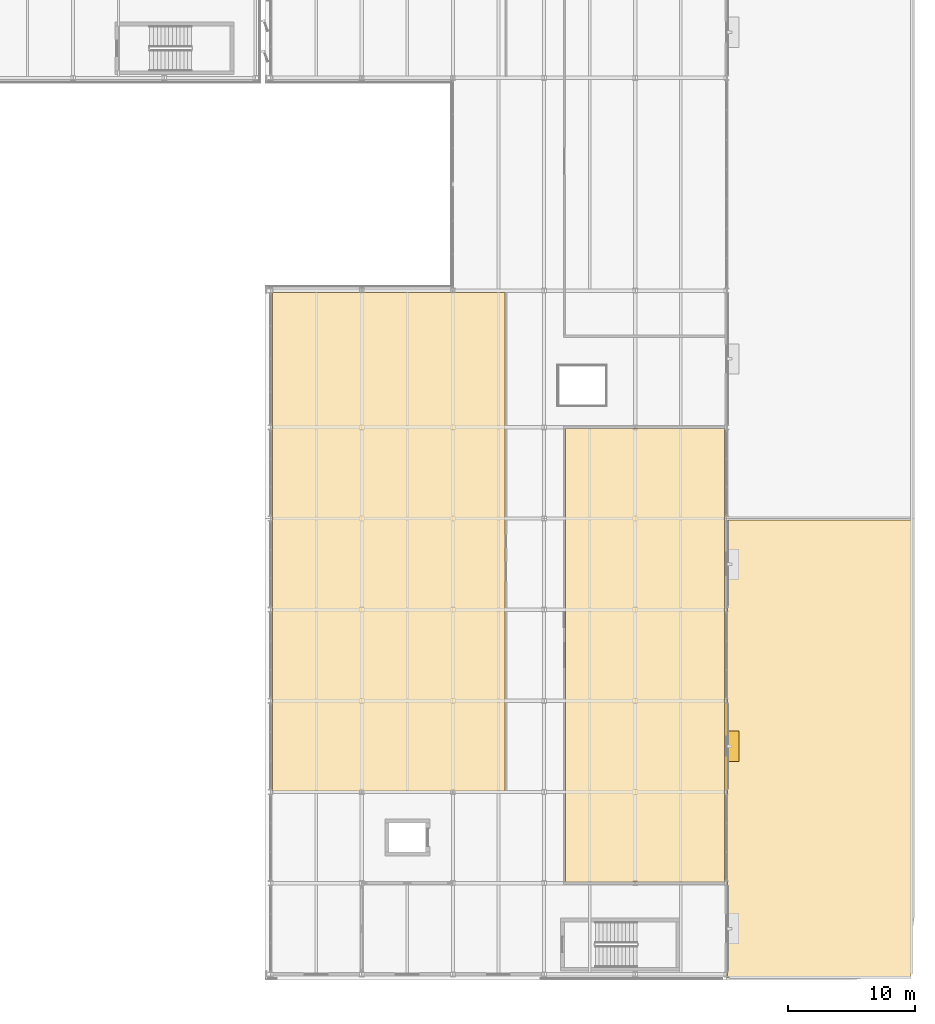
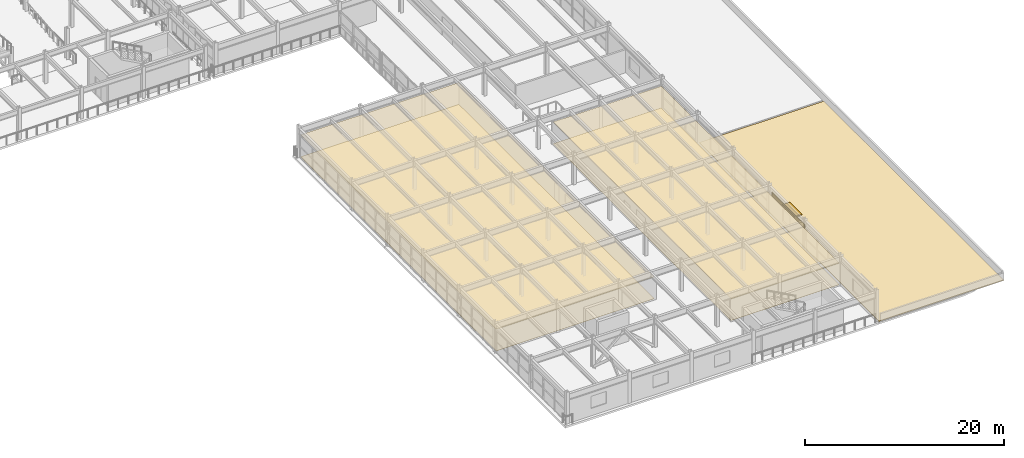
# One storey, part 72 of 80: 6 coverings, 1 shading device.
"""IFC4 building model written with IfcOpenShell, lengths in metres."""

from ifc_helpers import new_model, si_unit, direction, frame, origin, origin_2d, place, context, subcontext, project, spatial, polyline, rectangle, outline, extrude, material, layer, layer_set, type_object, element, save


model = new_model("IFC4")

# Units and contexts
model_context = context("Model", 3, precision=1e-05, world=origin(), true_north=direction((0.0, 1.0)))
body_context = subcontext(model_context, "Body", "Model", "MODEL_VIEW")
ifc_project = project(units=[si_unit("LENGTHUNIT", "METRE"), si_unit("AREAUNIT", "SQUARE_METRE"), si_unit("VOLUMEUNIT", "CUBIC_METRE"), si_unit("PLANEANGLEUNIT", "RADIAN"), si_unit("MASSUNIT", "GRAM", prefix="KILO")], contexts=[model_context])

# Site, building, storey
site_placement = place(None, origin())
site = spatial("IfcSite", under=ifc_project, at=site_placement, CompositionType="ELEMENT")
building_placement = place(site_placement, origin())
building = spatial("IfcBuilding", under=site, at=building_placement, Name="Vaelcorin Mobility Hub", CompositionType="ELEMENT")
storey_placement = place(building_placement, frame((0.0, 0.0, 9.300048828125)))
storey = spatial("IfcBuildingStorey", under=building, at=storey_placement, Name="L02", CompositionType="ELEMENT", Elevation=9.300048828125)

# Coverings
ifc_material_1 = material(Name="Perforated acoustic mineral-fibre ceiling tile")
ifc_layer_1 = layer(ifc_material_1, 0.02392578125)
ifc_layer_set_1 = layer_set([ifc_layer_1], Name="Perforated acoustic mineral-fibre ceiling tile")
covering_type_1 = type_object("IfcCoveringType", Name="COV-CEIL-2", PredefinedType="CEILING", material=ifc_layer_set_1)
covering_1_placement = place(storey_placement, frame((0.0, 0.0, 2.6728515625)))
element("IfcCovering", 1, at=covering_1_placement, inside=storey, type_object=covering_type_1, Name="Intermodal Network Control Suite Acoustic Ceiling", PredefinedType="CEILING", context=body_context, shape_type="SweptSolid", body=[
    extrude(outline(polyline([(176.93994140625, 13.280029296875), (176.93408203125, 13.280029296875), (176.927978515625, 13.281005859375), (176.923095703125, 13.282958984375), (176.9169921875, 13.284912109375), (176.912109375, 13.287109375), (176.906982421875, 13.2900390625), (176.902099609375, 13.2939453125), (176.89794921875, 13.298095703125), (176.89404296875, 13.302001953125), (176.889892578125, 13.306884765625), (176.886962890625, 13.31201171875), (176.885009765625, 13.31689453125), (176.883056640625, 13.322998046875), (176.881103515625, 13.327880859375), (176.8798828125, 13.333984375), (176.8798828125, 13.340087890625), (176.8798828125, 49.06005859375), (176.8798828125, 49.06591796875), (176.881103515625, 49.072021484375), (176.883056640625, 49.076904296875), (176.885009765625, 49.0830078125), (176.886962890625, 49.087890625), (176.889892578125, 49.093017578125), (176.89404296875, 49.097900390625), (176.89794921875, 49.10205078125), (176.902099609375, 49.10595703125), (176.906982421875, 49.110107421875), (176.912109375, 49.113037109375), (176.9169921875, 49.114990234375), (176.923095703125, 49.116943359375), (176.927978515625, 49.118896484375), (176.93408203125, 49.1201171875), (176.93994140625, 49.1201171875), (189.39990234375, 49.1201171875), (189.406005859375, 49.1201171875), (189.412109375, 49.118896484375), (189.4169921875, 49.116943359375), (189.423095703125, 49.114990234375), (189.427978515625, 49.113037109375), (189.43310546875, 49.110107421875), (189.43798828125, 49.10595703125), (189.44189453125, 49.10205078125), (189.446044921875, 49.097900390625), (189.449951171875, 49.093017578125), (189.452880859375, 49.087890625), (189.455078125, 49.0830078125), (189.45703125, 49.076904296875), (189.458984375, 49.072021484375), (189.4599609375, 49.06591796875), (189.4599609375, 49.06005859375), (189.4599609375, 13.340087890625), (189.4599609375, 13.333984375), (189.458984375, 13.327880859375), (189.45703125, 13.322998046875), (189.455078125, 13.31689453125), (189.452880859375, 13.31201171875), (189.449951171875, 13.306884765625), (189.446044921875, 13.302001953125), (189.44189453125, 13.298095703125), (189.43798828125, 13.2939453125), (189.43310546875, 13.2900390625), (189.427978515625, 13.287109375), (189.423095703125, 13.284912109375), (189.4169921875, 13.282958984375), (189.412109375, 13.281005859375), (189.406005859375, 13.280029296875), (189.39990234375, 13.280029296875), (176.93994140625, 13.280029296875)])), origin(), (0.0, 0.0, 1.0), 0.024169921875),
])
ifc_layer_2 = layer(ifc_material_1, 0.030029296875)
ifc_layer_set_2 = layer_set([ifc_layer_2], Name="Perforated acoustic mineral-fibre ceiling tile")
covering_type_2 = type_object("IfcCoveringType", Name="COV-CEIL-3", PredefinedType="CEILING", material=ifc_layer_set_2)
covering_2_placement = place(storey_placement, frame((0.0, 0.0, 2.6728515625)))
element("IfcCovering", 2, at=covering_2_placement, inside=storey, type_object=covering_type_2, Name="Regional Transit Boardroom Acoustic Ceiling", PredefinedType="CEILING", context=body_context, shape_type="SweptSolid", body=[
    extrude(outline(polyline([(153.800048828125, 20.47998046875), (153.7939453125, 20.47998046875), (153.7880859375, 20.48095703125), (153.782958984375, 20.48291015625), (153.777099609375, 20.485107421875), (153.77197265625, 20.487060546875), (153.76708984375, 20.489990234375), (153.761962890625, 20.493896484375), (153.758056640625, 20.498046875), (153.75390625, 20.501953125), (153.75, 20.507080078125), (153.7470703125, 20.511962890625), (153.7451171875, 20.51708984375), (153.742919921875, 20.52294921875), (153.740966796875, 20.528076171875), (153.739990234375, 20.533935546875), (153.739990234375, 20.5400390625), (153.739990234375, 59.800048828125), (153.739990234375, 59.805908203125), (153.740966796875, 59.81201171875), (153.742919921875, 59.81689453125), (153.7451171875, 59.822998046875), (153.7470703125, 59.827880859375), (153.75, 59.8330078125), (153.75390625, 59.837890625), (153.758056640625, 59.842041015625), (153.761962890625, 59.845947265625), (153.76708984375, 59.85009765625), (153.77197265625, 59.85302734375), (153.777099609375, 59.85498046875), (153.782958984375, 59.85693359375), (153.7880859375, 59.85888671875), (153.7939453125, 59.860107421875), (153.800048828125, 59.860107421875), (172.06005859375, 59.860107421875), (172.06591796875, 59.860107421875), (172.072021484375, 59.85888671875), (172.076904296875, 59.85693359375), (172.0830078125, 59.85498046875), (172.087890625, 59.85302734375), (172.093017578125, 59.85009765625), (172.097900390625, 59.845947265625), (172.10205078125, 59.842041015625), (172.10595703125, 59.837890625), (172.110107421875, 59.8330078125), (172.113037109375, 59.827880859375), (172.114990234375, 59.822998046875), (172.116943359375, 59.81689453125), (172.118896484375, 59.81201171875), (172.1201171875, 59.805908203125), (172.1201171875, 59.800048828125), (172.1201171875, 20.5400390625), (172.1201171875, 20.533935546875), (172.118896484375, 20.528076171875), (172.116943359375, 20.52294921875), (172.114990234375, 20.51708984375), (172.113037109375, 20.511962890625), (172.110107421875, 20.507080078125), (172.10595703125, 20.501953125), (172.10205078125, 20.498046875), (172.097900390625, 20.493896484375), (172.093017578125, 20.489990234375), (172.087890625, 20.487060546875), (172.0830078125, 20.485107421875), (172.076904296875, 20.48291015625), (172.072021484375, 20.48095703125), (172.06591796875, 20.47998046875), (172.06005859375, 20.47998046875), (153.800048828125, 20.47998046875)])), origin(), (0.0, 0.0, 1.0), 0.030029296875),
])
ifc_material_2 = material(Name="Extruded terracotta-bronze rainscreen panel", Category="masonry")
ifc_layer_3 = layer(ifc_material_2, 0.034912109375)
ifc_layer_set_3 = layer_set([ifc_layer_3], Name="Extruded terracotta-bronze rainscreen panel")
covering_type_3 = type_object("IfcCoveringType", Name="COV-CLAD-35", PredefinedType="CLADDING", material=ifc_layer_set_3)
covering_3_placement = place(storey_placement, frame((189.739990234375, 24.0, 2.35302734375), z_axis=(0.0, 0.0, 1.0), x_axis=(1.0, 0.0, 0.0)))
element("IfcCovering", 3, at=covering_3_placement, inside=storey, type_object=covering_type_3, Name="Terracotta-Bronze Facade Cladding L02-03", PredefinedType="CLADDING", context=body_context, shape_type="SweptSolid", body=[
    extrude(rectangle(XDim=0.028076171875, YDim=6.60009765625, at=origin_2d()), origin(), (0.0, 0.0, 1.0), 0.449951171875),
])
ifc_material_3 = material(Name="Polished epoxy-terrazzo concourse flooring")
ifc_layer_4 = layer(ifc_material_3, 0.01806640625)
ifc_layer_set_4 = layer_set([ifc_layer_4], Name="Polished epoxy-terrazzo concourse flooring")
covering_type_4 = type_object("IfcCoveringType", Name="COV-FLR-1", PredefinedType="FLOORING", material=ifc_layer_set_4)
covering_4_placement = place(storey_placement, origin())
element("IfcCovering", 4, at=covering_4_placement, inside=storey, type_object=covering_type_4, Name="Regional Transit Boardroom Finish Flooring", PredefinedType="FLOORING", context=body_context, shape_type="SweptSolid", body=[
    extrude(outline(polyline([(153.800048828125, 20.47998046875), (153.7939453125, 20.47998046875), (153.7880859375, 20.48095703125), (153.782958984375, 20.48291015625), (153.777099609375, 20.485107421875), (153.77197265625, 20.487060546875), (153.76708984375, 20.489990234375), (153.761962890625, 20.493896484375), (153.758056640625, 20.498046875), (153.75390625, 20.501953125), (153.75, 20.507080078125), (153.7470703125, 20.511962890625), (153.7451171875, 20.51708984375), (153.742919921875, 20.52294921875), (153.740966796875, 20.528076171875), (153.739990234375, 20.533935546875), (153.739990234375, 20.5400390625), (153.739990234375, 59.800048828125), (153.739990234375, 59.805908203125), (153.740966796875, 59.81201171875), (153.742919921875, 59.81689453125), (153.7451171875, 59.822998046875), (153.7470703125, 59.827880859375), (153.75, 59.8330078125), (153.75390625, 59.837890625), (153.758056640625, 59.842041015625), (153.761962890625, 59.845947265625), (153.76708984375, 59.85009765625), (153.77197265625, 59.85302734375), (153.777099609375, 59.85498046875), (153.782958984375, 59.85693359375), (153.7880859375, 59.85888671875), (153.7939453125, 59.860107421875), (153.800048828125, 59.860107421875), (172.06005859375, 59.860107421875), (172.06591796875, 59.860107421875), (172.072021484375, 59.85888671875), (172.076904296875, 59.85693359375), (172.0830078125, 59.85498046875), (172.087890625, 59.85302734375), (172.093017578125, 59.85009765625), (172.097900390625, 59.845947265625), (172.10205078125, 59.842041015625), (172.10595703125, 59.837890625), (172.110107421875, 59.8330078125), (172.113037109375, 59.827880859375), (172.114990234375, 59.822998046875), (172.116943359375, 59.81689453125), (172.118896484375, 59.81201171875), (172.1201171875, 59.805908203125), (172.1201171875, 59.800048828125), (172.1201171875, 20.5400390625), (172.1201171875, 20.533935546875), (172.118896484375, 20.528076171875), (172.116943359375, 20.52294921875), (172.114990234375, 20.51708984375), (172.113037109375, 20.511962890625), (172.110107421875, 20.507080078125), (172.10595703125, 20.501953125), (172.10205078125, 20.498046875), (172.097900390625, 20.493896484375), (172.093017578125, 20.489990234375), (172.087890625, 20.487060546875), (172.0830078125, 20.485107421875), (172.076904296875, 20.48291015625), (172.072021484375, 20.48095703125), (172.06591796875, 20.47998046875), (172.06005859375, 20.47998046875), (153.800048828125, 20.47998046875)])), origin(), (0.0, 0.0, 1.0), 0.01806640625),
])
ifc_layer_5 = layer(ifc_material_3, 0.02587890625)
ifc_layer_set_5 = layer_set([ifc_layer_5], Name="Polished epoxy-terrazzo concourse flooring")
covering_type_5 = type_object("IfcCoveringType", Name="COV-FLR-2", PredefinedType="FLOORING", material=ifc_layer_set_5)
covering_5_placement = place(storey_placement, origin())
element("IfcCovering", 5, at=covering_5_placement, inside=storey, type_object=covering_type_5, Name="Intermodal Network Control Suite Finish Flooring", PredefinedType="FLOORING", context=body_context, shape_type="SweptSolid", body=[
    extrude(outline(polyline([(176.93994140625, 13.280029296875), (176.93408203125, 13.280029296875), (176.927978515625, 13.281005859375), (176.923095703125, 13.282958984375), (176.9169921875, 13.284912109375), (176.912109375, 13.287109375), (176.906982421875, 13.2900390625), (176.902099609375, 13.2939453125), (176.89794921875, 13.298095703125), (176.89404296875, 13.302001953125), (176.889892578125, 13.306884765625), (176.886962890625, 13.31201171875), (176.885009765625, 13.31689453125), (176.883056640625, 13.322998046875), (176.881103515625, 13.327880859375), (176.8798828125, 13.333984375), (176.8798828125, 13.340087890625), (176.8798828125, 49.06005859375), (176.8798828125, 49.06591796875), (176.881103515625, 49.072021484375), (176.883056640625, 49.076904296875), (176.885009765625, 49.0830078125), (176.886962890625, 49.087890625), (176.889892578125, 49.093017578125), (176.89404296875, 49.097900390625), (176.89794921875, 49.10205078125), (176.902099609375, 49.10595703125), (176.906982421875, 49.110107421875), (176.912109375, 49.113037109375), (176.9169921875, 49.114990234375), (176.923095703125, 49.116943359375), (176.927978515625, 49.118896484375), (176.93408203125, 49.1201171875), (176.93994140625, 49.1201171875), (189.39990234375, 49.1201171875), (189.406005859375, 49.1201171875), (189.412109375, 49.118896484375), (189.4169921875, 49.116943359375), (189.423095703125, 49.114990234375), (189.427978515625, 49.113037109375), (189.43310546875, 49.110107421875), (189.43798828125, 49.10595703125), (189.44189453125, 49.10205078125), (189.446044921875, 49.097900390625), (189.449951171875, 49.093017578125), (189.452880859375, 49.087890625), (189.455078125, 49.0830078125), (189.45703125, 49.076904296875), (189.458984375, 49.072021484375), (189.4599609375, 49.06591796875), (189.4599609375, 49.06005859375), (189.4599609375, 13.340087890625), (189.4599609375, 13.333984375), (189.458984375, 13.327880859375), (189.45703125, 13.322998046875), (189.455078125, 13.31689453125), (189.452880859375, 13.31201171875), (189.449951171875, 13.306884765625), (189.446044921875, 13.302001953125), (189.44189453125, 13.298095703125), (189.43798828125, 13.2939453125), (189.43310546875, 13.2900390625), (189.427978515625, 13.287109375), (189.423095703125, 13.284912109375), (189.4169921875, 13.282958984375), (189.412109375, 13.281005859375), (189.406005859375, 13.280029296875), (189.39990234375, 13.280029296875), (176.93994140625, 13.280029296875)])), origin(), (0.0, 0.0, 1.0), 0.02587890625),
])
ifc_material_4 = material(Name="TPO reflective insulated roofing membrane")
ifc_layer_6 = layer(ifc_material_4, 0.06494140625)
ifc_layer_set_6 = layer_set([ifc_layer_6], Name="TPO reflective insulated roofing membrane")
covering_type_6 = type_object("IfcCoveringType", Name="COV-ROOF-V5", PredefinedType="ROOFING", material=ifc_layer_set_6)
covering_6_placement = place(storey_placement, origin())
element("IfcCovering", 6, at=covering_6_placement, inside=storey, type_object=covering_type_6, Name="East Cycle Wing TPO Roofing Membrane 1", PredefinedType="ROOFING", context=body_context, shape_type="SweptSolid", body=[
    extrude(outline(polyline([(189.699951171875, 5.699951171875), (204.199951171875, 5.699951171875), (204.199951171875, 41.89990234375), (189.699951171875, 41.89990234375), (189.699951171875, 5.699951171875)])), origin(), (0.0, 0.0, 1.0), 0.06494140625),
])

# Shading device
ifc_material_5 = material(Name="Perforated terracotta-bronze aluminium aerofoil", Category="masonry")
shading_device_type = type_object("IfcShadingDeviceType", Name="SHD-JAL-2", PredefinedType="JALOUSIE", material=ifc_material_5)
shading_device_placement = place(storey_placement, frame((190.14990234375, 24.0, 2.408203125), z_axis=(0.0, 0.0, 1.0), x_axis=(1.0, 0.0, 0.0)))
element("IfcShadingDevice", 7, at=shading_device_placement, inside=storey, type_object=shading_device_type, Name="Jalousie Sun-Hood L02-03", PredefinedType="JALOUSIE", context=body_context, shape_type="SweptSolid", body=[
    extrude(rectangle(XDim=0.89990234375, YDim=2.39990234375, at=origin_2d()), origin(), (0.0, 0.0, 1.0), 0.139892578125),
])

save(model, "model.ifc")
